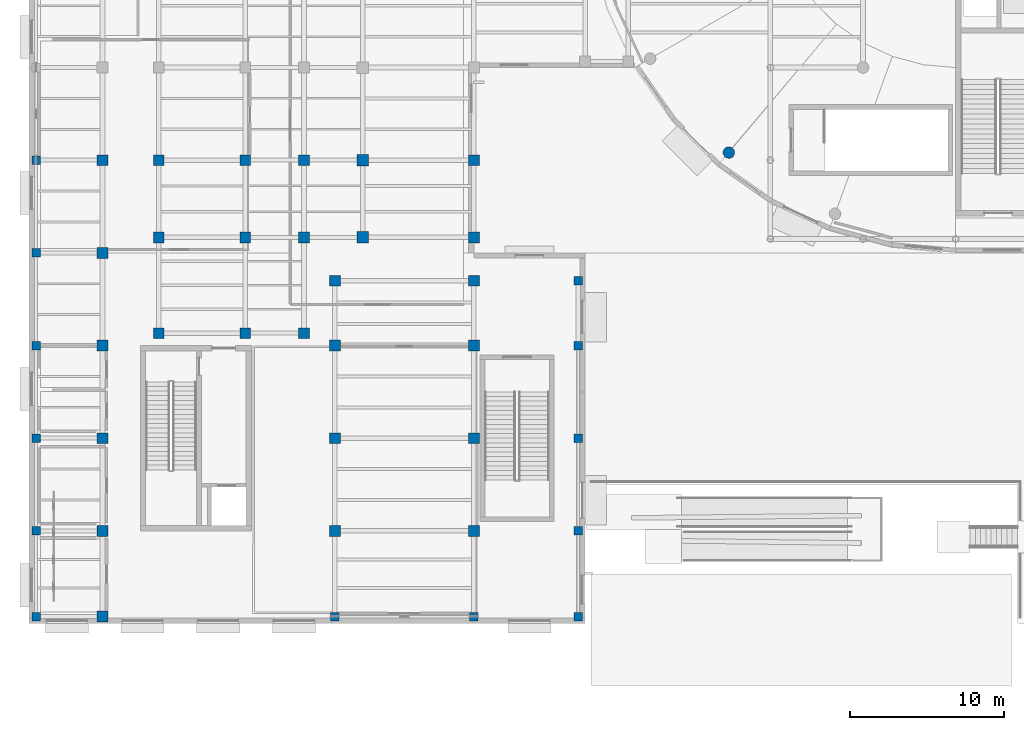
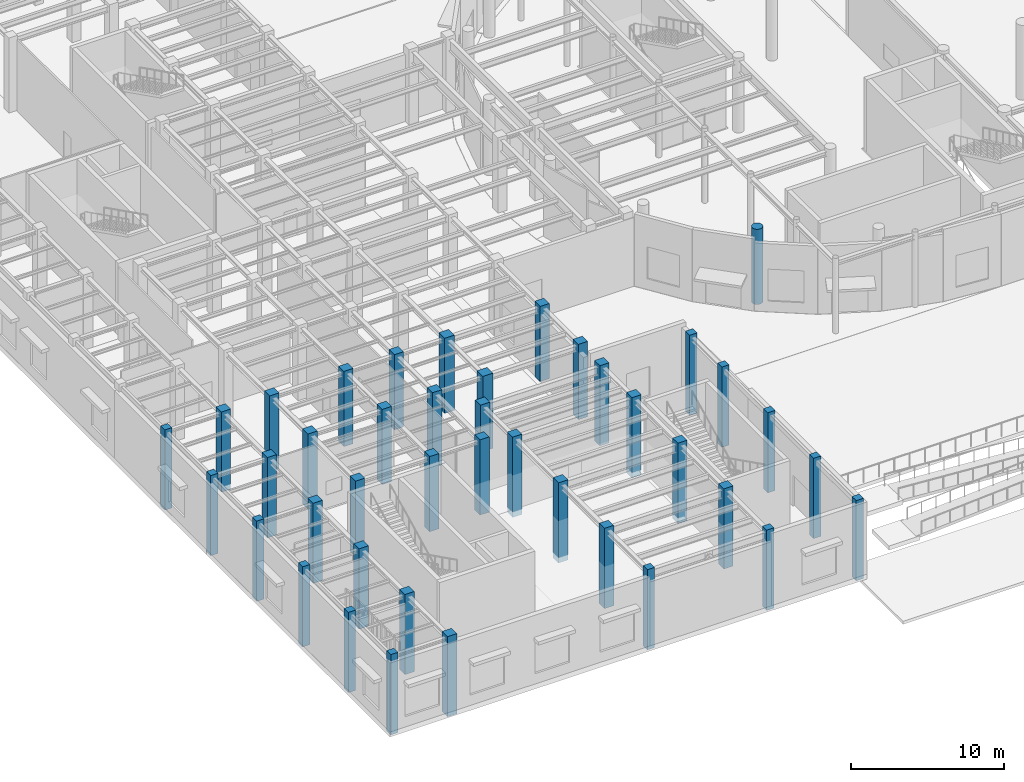
# One storey, part 1 of 118: 41 columns.
"""IFC4 building model written with IfcOpenShell, lengths in metres."""

from ifc_helpers import new_model, si_unit, direction, frame, origin, origin_2d, place, context, subcontext, project, spatial, rectangle, circle, extrude, material, material_profile, profile_set, type_object, element, save


model = new_model("IFC4")

# Units and contexts
model_context = context("Model", 3, precision=1e-05, world=origin(), true_north=direction((0.0, 1.0)))
body_context = subcontext(model_context, "Body", "Model", "MODEL_VIEW")
ifc_project = project(units=[si_unit("LENGTHUNIT", "METRE"), si_unit("AREAUNIT", "SQUARE_METRE"), si_unit("VOLUMEUNIT", "CUBIC_METRE"), si_unit("PLANEANGLEUNIT", "RADIAN"), si_unit("MASSUNIT", "GRAM", prefix="KILO")], contexts=[model_context])

# Site, building, storey
site_placement = place(None, origin())
site = spatial("IfcSite", under=ifc_project, at=site_placement, CompositionType="ELEMENT")
building_placement = place(site_placement, origin())
building = spatial("IfcBuilding", under=site, at=building_placement, Name="Kolvaren Corner Interchange", CompositionType="ELEMENT")
storey_placement = place(building_placement, origin())
storey = spatial("IfcBuildingStorey", under=building, at=storey_placement, Name="L01", CompositionType="ELEMENT", Elevation=0.0)

# Columns
ifc_material_1 = material(Name="Concrete C35/45", Category="concrete")
ifc_material_profile_1 = material_profile(ifc_material_1, rectangle(XDim=0.699951171875, YDim=0.699951171875, at=origin_2d()), Name="RC 700x700")
ifc_profile_set_1 = profile_set([ifc_material_profile_1], Name="Concrete C35/45")
column_type_1 = type_object("IfcColumnType", Name="COL-RC700", PredefinedType="COLUMN", material=ifc_profile_set_1)
for number, where, z_axis, x_axis, name in (
    (1, (4.75, 0.449951171875, -0.39990234375), (0.0, 0.0, 1.0), (1.0, 0.0, 0.0), "Storey L01 Structural Column 0069"),
    (2, (4.75, 6.0, -0.39990234375), (0.0, 0.0, 1.0), (1.0, 0.0, 0.0), "Storey L01 Structural Column 0074"),
    (3, (4.75, 12.0, -0.39990234375), (0.0, 0.0, 1.0), (1.0, 0.0, 0.0), "Storey L01 Structural Column 0079"),
    (4, (4.75, 18.0, -0.39990234375), (0.0, 0.0, 1.0), (1.0, 0.0, 0.0), "Storey L01 Structural Column 0084"),
    (5, (4.75, 24.0, -0.39990234375), (0.0, 0.0, 1.0), (1.0, 0.0, 0.0), "Storey L01 Structural Column 0089"),
    (6, (4.75, 30.0, -0.39990234375), (0.0, 0.0, 1.0), (1.0, 0.0, 0.0), "Storey L01 Structural Column 0094"),
    (7, (19.800048828125, 6.0, -0.39990234375), (0.0, 0.0, 1.0), (1.0, 0.0, 0.0), "Storey L01 Structural Column 0142"),
    (8, (19.800048828125, 12.0, -0.39990234375), (0.0, 0.0, 1.0), (1.0, 0.0, 0.0), "Storey L01 Structural Column 0147"),
    (9, (19.800048828125, 18.0, -0.39990234375), (0.0, 0.0, 1.0), (1.0, 0.0, 0.0), "Storey L01 Structural Column 0152"),
    (10, (19.800048828125, 22.199951171875, -0.39990234375), (0.0, 0.0, 1.0), (1.0, 0.0, 0.0), "Storey L01 Structural Column 0157"),
    (11, (28.800048828125, 6.0, -0.39990234375), (0.0, 0.0, 1.0), (1.0, 0.0, 0.0), "Storey L01 Structural Column 0167"),
    (12, (28.800048828125, 12.0, -0.39990234375), (0.0, 0.0, 1.0), (1.0, 0.0, 0.0), "Storey L01 Structural Column 0172"),
    (13, (28.800048828125, 18.0, -0.39990234375), (0.0, 0.0, 1.0), (1.0, 0.0, 0.0), "Storey L01 Structural Column 0177"),
    (14, (28.800048828125, 22.199951171875, -0.39990234375), (0.0, 0.0, 1.0), (1.0, 0.0, 0.0), "Storey L01 Structural Column 0182"),
):
    element("IfcColumn", number, at=place(storey_placement, frame(where, z_axis=z_axis, x_axis=x_axis)), inside=storey, type_object=column_type_1, Name=name, PredefinedType="COLUMN", context=body_context, shape_type="SweptSolid", body=[
        extrude(rectangle(XDim=0.699951171875, YDim=0.699951171875, at=origin_2d()), origin(), (0.0, 0.0, 1.0), 6.39990234375),
    ])
for number, where, z_axis, x_axis, name in (
    (15, (8.39990234375, 18.800048828125, 0.0), (0.0, 0.0, 1.0), (1.0, 0.0, 0.0), "Storey L01 Structural Column 0213"),
    (16, (8.39990234375, 25.0, 0.0), (0.0, 0.0, 1.0), (1.0, 0.0, 0.0), "Storey L01 Structural Column 0219"),
    (17, (8.39990234375, 30.0, 0.0), (0.0, 0.0, 1.0), (1.0, 0.0, 0.0), "Storey L01 Structural Column 0225"),
    (18, (14.0, 18.800048828125, 0.0), (0.0, 0.0, 1.0), (1.0, 0.0, 0.0), "Storey L01 Structural Column 0249"),
    (19, (14.0, 25.0, 0.0), (0.0, 0.0, 1.0), (1.0, 0.0, 0.0), "Storey L01 Structural Column 0255"),
    (20, (14.0, 30.0, 0.0), (0.0, 0.0, 1.0), (1.0, 0.0, 0.0), "Storey L01 Structural Column 0261"),
    (21, (17.800048828125, 18.800048828125, 0.0), (0.0, 0.0, 1.0), (1.0, 0.0, 0.0), "Storey L01 Structural Column 0285"),
    (22, (17.800048828125, 25.0, 0.0), (0.0, 0.0, 1.0), (1.0, 0.0, 0.0), "Storey L01 Structural Column 0291"),
    (23, (17.800048828125, 30.0, 0.0), (0.0, 0.0, 1.0), (1.0, 0.0, 0.0), "Storey L01 Structural Column 0297"),
    (24, (28.800048828125, 25.0, 0.0), (0.0, 0.0, 1.0), (1.0, 0.0, 0.0), "Storey L01 Structural Column 0383"),
    (25, (28.800048828125, 30.0, 0.0), (0.0, 0.0, 1.0), (1.0, 0.0, 0.0), "Storey L01 Structural Column 0387"),
):
    element("IfcColumn", number, at=place(storey_placement, frame(where, z_axis=z_axis, x_axis=x_axis)), inside=storey, type_object=column_type_1, Name=name, PredefinedType="COLUMN", context=body_context, shape_type="SweptSolid", body=[
        extrude(rectangle(XDim=0.699951171875, YDim=0.699951171875, at=origin_2d()), origin(), (0.0, 0.0, 1.0), 6.0),
    ])
ifc_material_2 = material(Name="Concrete C40/50", Category="concrete")
ifc_material_profile_2 = material_profile(ifc_material_2, rectangle(XDim=0.75, YDim=0.75, at=origin_2d()), Name="RC 750x750")
ifc_profile_set_2 = profile_set([ifc_material_profile_2], Name="Concrete C40/50")
column_type_2 = type_object("IfcColumnType", Name="COL-RC750", PredefinedType="COLUMN", material=ifc_profile_set_2)
for number, where, z_axis, x_axis, name in (
    (26, (21.60009765625, 25.0, 0.0), (0.0, 0.0, 1.0), (1.0, 0.0, 0.0), "Storey L01 Structural Column 0332"),
    (27, (21.60009765625, 30.0, 0.0), (0.0, 0.0, 1.0), (1.0, 0.0, 0.0), "Storey L01 Structural Column 0338"),
):
    element("IfcColumn", number, at=place(storey_placement, frame(where, z_axis=z_axis, x_axis=x_axis)), inside=storey, type_object=column_type_2, Name=name, PredefinedType="COLUMN", context=body_context, shape_type="SweptSolid", body=[
        extrude(rectangle(XDim=0.75, YDim=0.75, at=origin_2d()), origin(), (0.0, 0.0, 1.0), 6.0),
    ])
ifc_material_3 = material(Name="Concrete C35/45", Category="concrete")
ifc_material_profile_3 = material_profile(ifc_material_3, circle(Radius=0.375, at=origin_2d()), Name="RC COL D750")
ifc_profile_set_3 = profile_set([ifc_material_profile_3], Name="Concrete C35/45")
column_type_3 = type_object("IfcColumnType", Name="COL-RCD750", PredefinedType="COLUMN", material=ifc_profile_set_3)
column_placement = place(storey_placement, frame((45.31201171875, 30.49609375, 0.0), z_axis=(0.0, 0.0, 1.0), x_axis=(1.0, 0.0, 0.0)))
element("IfcColumn", 28, at=column_placement, inside=storey, type_object=column_type_3, Name="Storey L01 Structural Column 0808", PredefinedType="COLUMN", context=body_context, shape_type="SweptSolid", body=[
    extrude(circle(Radius=0.375, at=origin_2d()), origin(), (0.0, 0.0, 1.0), 6.0),
])
ifc_material_4 = material(Name="Concrete C35/45", Category="concrete")
ifc_material_profile_4 = material_profile(ifc_material_4, rectangle(XDim=0.550048828125, YDim=0.550048828125, at=origin_2d()), Name="RC 550x550")
ifc_profile_set_4 = profile_set([ifc_material_profile_4], Name="Concrete C35/45")
column_type_4 = type_object("IfcColumnType", Name="PIL-RC550", PredefinedType="PILASTER", material=ifc_profile_set_4)
for number, where, z_axis, x_axis, name in (
    (29, (0.449951171875, 0.449951171875, -0.39990234375), (0.0, 0.0, 1.0), (1.0, 0.0, 0.0), "Storey L01 Structural Column 0001"),
    (30, (0.449951171875, 6.0, -0.39990234375), (0.0, 0.0, 1.0), (1.0, 0.0, 0.0), "Storey L01 Structural Column 0006"),
    (31, (0.449951171875, 12.0, -0.39990234375), (0.0, 0.0, 1.0), (1.0, 0.0, 0.0), "Storey L01 Structural Column 0011"),
    (32, (0.449951171875, 18.0, -0.39990234375), (0.0, 0.0, 1.0), (1.0, 0.0, 0.0), "Storey L01 Structural Column 0016"),
    (33, (0.449951171875, 24.0, -0.39990234375), (0.0, 0.0, 1.0), (1.0, 0.0, 0.0), "Storey L01 Structural Column 0021"),
    (34, (0.449951171875, 30.0, -0.39990234375), (0.0, 0.0, 1.0), (1.0, 0.0, 0.0), "Storey L01 Structural Column 0026"),
    (35, (19.800048828125, 0.449951171875, -0.39990234375), (0.0, 0.0, 1.0), (1.0, 0.0, 0.0), "Storey L01 Structural Column 0137"),
    (36, (28.800048828125, 0.449951171875, -0.39990234375), (0.0, 0.0, 1.0), (1.0, 0.0, 0.0), "Storey L01 Structural Column 0162"),
    (37, (35.550048828125, 0.449951171875, -0.39990234375), (0.0, 0.0, 1.0), (1.0, 0.0, 0.0), "Storey L01 Structural Column 0187"),
    (38, (35.550048828125, 6.0, -0.39990234375), (0.0, 0.0, 1.0), (1.0, 0.0, 0.0), "Storey L01 Structural Column 0192"),
    (39, (35.550048828125, 12.0, -0.39990234375), (0.0, 0.0, 1.0), (1.0, 0.0, 0.0), "Storey L01 Structural Column 0197"),
    (40, (35.550048828125, 18.0, -0.39990234375), (0.0, 0.0, 1.0), (1.0, 0.0, 0.0), "Storey L01 Structural Column 0202"),
    (41, (35.550048828125, 22.199951171875, -0.39990234375), (0.0, 0.0, 1.0), (1.0, 0.0, 0.0), "Storey L01 Structural Column 0207"),
):
    element("IfcColumn", number, at=place(storey_placement, frame(where, z_axis=z_axis, x_axis=x_axis)), inside=storey, type_object=column_type_4, Name=name, PredefinedType="PILASTER", context=body_context, shape_type="SweptSolid", body=[
        extrude(rectangle(XDim=0.550048828125, YDim=0.550048828125, at=origin_2d()), origin(), (0.0, 0.0, 1.0), 6.39990234375),
    ])

save(model, "model.ifc")
